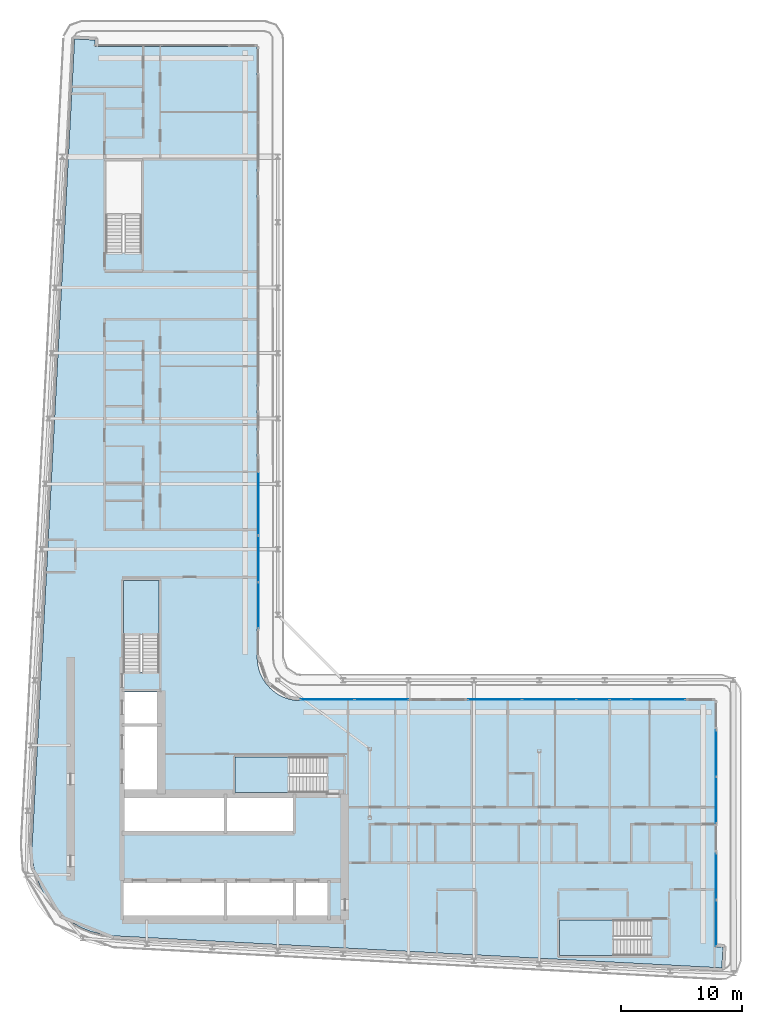
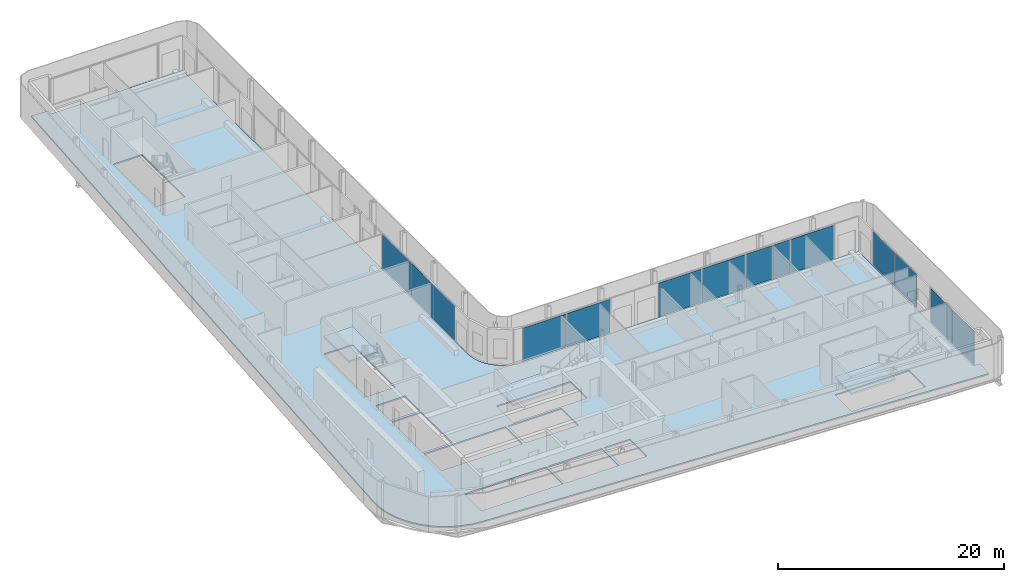
# One storey, part 8 of 22: 14 plates, 4 slabs, 10 elements without a shape of their own.
"""IFC4 building model written with IfcOpenShell, lengths in metres."""

from ifc_helpers import new_model, si_unit, direction, frame, origin, origin_2d, place, context, subcontext, project, spatial, polyline, rectangle, outline, extrude, material, layer, layer_set, type_object, element, aggregate, save


model = new_model("IFC4")

# Units and contexts
model_context = context("Model", 3, precision=1e-05, world=origin(), true_north=direction((0.0, 1.0)))
body_context = subcontext(model_context, "Body", "Model", "MODEL_VIEW")
ifc_project = project(units=[si_unit("LENGTHUNIT", "METRE"), si_unit("AREAUNIT", "SQUARE_METRE"), si_unit("VOLUMEUNIT", "CUBIC_METRE"), si_unit("PLANEANGLEUNIT", "RADIAN"), si_unit("MASSUNIT", "GRAM", prefix="KILO")], contexts=[model_context])

# Site, building, storey
site_placement = place(None, origin())
site = spatial("IfcSite", under=ifc_project, at=site_placement, CompositionType="ELEMENT")
building_placement = place(site_placement, origin())
building = spatial("IfcBuilding", under=site, at=building_placement, Name="Kheshtan School and Residences Tower", CompositionType="ELEMENT")
storey_placement = place(building_placement, frame((0.0, 0.0, 255.199951171875)))
storey = spatial("IfcBuildingStorey", under=building, at=storey_placement, Name="L60", CompositionType="ELEMENT", Elevation=255.199951171875)

# Curtain wall, plate
ifc_material_1 = material(Name="Clear low-e glass in thermally broken aluminium frame", Category="aluminium")
ifc_layer_1 = layer(ifc_material_1, 0.199951171875)
ifc_layer_set_1 = layer_set([ifc_layer_1], Name="Curtain wall CW-L")
curtain_wall_type = type_object("IfcCurtainWallType", Name="Curtain wall CW-L", PredefinedType="NOTDEFINED", material=ifc_layer_set_1)
curtain_wall_1_placement = place(storey_placement, origin())
curtain_wall_1 = element("IfcCurtainWall", 1, at=curtain_wall_1_placement, inside=storey, type_object=curtain_wall_type, Name="Curtain wall CWL8k", PredefinedType="NOTDEFINED")
ifc_layer_2 = layer(ifc_material_1, 0.031982421875)
ifc_layer_set_2 = layer_set([ifc_layer_2], Name="CW-L glass panel")
plate_type = type_object("IfcPlateType", Name="CW-L glass panel", PredefinedType="CURTAIN_PANEL", material=ifc_layer_set_2)
plate_1_placement = place(storey_placement, frame((46.0, 60.177001953125, 0.0), z_axis=(0.0, 0.0, 1.0), x_axis=(0.0, -1.0, 0.0)))
plate_1 = element("IfcPlate", 2, at=plate_1_placement, type_object=plate_type, Name="CWL8k panel 2.1", PredefinedType="CURTAIN_PANEL", context=body_context, shape_type="SweptSolid", body=[
    extrude(rectangle(XDim=5.18603515625, YDim=0.031982421875, at=origin_2d()), origin(), (0.0, 0.0, 1.0), 3.6298828125),
])
aggregate(curtain_wall_1, [plate_1])

# Curtain wall, plates
curtain_wall_2_placement = place(storey_placement, origin())
curtain_wall_2 = element("IfcCurtainWall", 3, at=curtain_wall_2_placement, inside=storey, type_object=curtain_wall_type, Name="Curtain wall CWL8", PredefinedType="NOTDEFINED")
plate_2_placement = place(storey_placement, frame((46.0, 55.615478515625, 0.0), z_axis=(0.0, 0.0, 1.0), x_axis=(0.0, -1.0, 0.0)))
plate_2 = element("IfcPlate", 4, at=plate_2_placement, type_object=plate_type, Name="CWL8 panel 1.1", PredefinedType="CURTAIN_PANEL", context=body_context, shape_type="SweptSolid", body=[
    extrude(rectangle(XDim=3.81689453125, YDim=0.031982421875, at=origin_2d()), origin(), (0.0, 0.0, 1.0), 3.6298828125),
])
plate_3_placement = place(storey_placement, frame((46.0, 51.7685546875, 0.0), z_axis=(0.0, 0.0, 1.0), x_axis=(0.0, -1.0, 0.0)))
plate_3 = element("IfcPlate", 5, at=plate_3_placement, type_object=plate_type, Name="CWL8 panel 2.1", PredefinedType="CURTAIN_PANEL", context=body_context, shape_type="SweptSolid", body=[
    extrude(rectangle(XDim=3.757080078125, YDim=0.031982421875, at=origin_2d()), origin(), (0.0, 0.0, 1.0), 3.6298828125),
])
aggregate(curtain_wall_2, [plate_2, plate_3])

curtain_wall_3_placement = place(storey_placement, origin())
curtain_wall_3 = element("IfcCurtainWall", 6, at=curtain_wall_3_placement, inside=storey, type_object=curtain_wall_type, Name="Curtain wall CWL1231", PredefinedType="NOTDEFINED")
plate_4_placement = place(storey_placement, frame((51.700927734375, 44.0, 0.0), z_axis=(0.0, 0.0, 1.0), x_axis=(1.0, 0.0, 0.0)))
plate_4 = element("IfcPlate", 7, at=plate_4_placement, type_object=plate_type, Name="CWL1231 panel 1.1", PredefinedType="CURTAIN_PANEL", context=body_context, shape_type="SweptSolid", body=[
    extrude(rectangle(XDim=4.421630859375, YDim=0.031982421875, at=origin_2d()), origin(), (0.0, 0.0, 1.0), 3.6298828125),
])
plate_5_placement = place(storey_placement, frame((56.1826171875, 44.0, 0.0), z_axis=(0.0, 0.0, 1.0), x_axis=(1.0, 0.0, 0.0)))
plate_5 = element("IfcPlate", 8, at=plate_5_placement, type_object=plate_type, Name="CWL1231 panel 2.1", PredefinedType="CURTAIN_PANEL", context=body_context, shape_type="SweptSolid", body=[
    extrude(rectangle(XDim=4.421630859375, YDim=0.031982421875, at=origin_2d()), origin(), (0.0, 0.0, 1.0), 3.6298828125),
])
aggregate(curtain_wall_3, [plate_4, plate_5])

curtain_wall_4_placement = place(storey_placement, origin())
curtain_wall_4 = element("IfcCurtainWall", 9, at=curtain_wall_4_placement, inside=storey, type_object=curtain_wall_type, Name="Curtain wall CWL1231", PredefinedType="NOTDEFINED")
plate_6_placement = place(storey_placement, frame((65.524169921875, 44.0, 0.0), z_axis=(0.0, 0.0, 1.0), x_axis=(1.0, 0.0, 0.0)))
plate_6 = element("IfcPlate", 10, at=plate_6_placement, type_object=plate_type, Name="CWL1231 panel 1.1", PredefinedType="CURTAIN_PANEL", context=body_context, shape_type="SweptSolid", body=[
    extrude(rectangle(XDim=4.421630859375, YDim=0.031982421875, at=origin_2d()), origin(), (0.0, 0.0, 1.0), 3.6298828125),
])
plate_7_placement = place(storey_placement, frame((70.005859375, 44.0, 0.0), z_axis=(0.0, 0.0, 1.0), x_axis=(1.0, 0.0, 0.0)))
plate_7 = element("IfcPlate", 11, at=plate_7_placement, type_object=plate_type, Name="CWL1231 panel 2.1", PredefinedType="CURTAIN_PANEL", context=body_context, shape_type="SweptSolid", body=[
    extrude(rectangle(XDim=4.421630859375, YDim=0.031982421875, at=origin_2d()), origin(), (0.0, 0.0, 1.0), 3.6298828125),
])
aggregate(curtain_wall_4, [plate_6, plate_7])

curtain_wall_5_placement = place(storey_placement, origin())
curtain_wall_5 = element("IfcCurtainWall", 12, at=curtain_wall_5_placement, inside=storey, type_object=curtain_wall_type, Name="Curtain wall CWL1228", PredefinedType="NOTDEFINED")
plate_8_placement = place(storey_placement, frame((73.623291015625, 44.0, 0.0), z_axis=(0.0, 0.0, 1.0), x_axis=(1.0, 0.0, 0.0)))
plate_8 = element("IfcPlate", 13, at=plate_8_placement, type_object=plate_type, Name="CWL1228 panel 1.1", PredefinedType="CURTAIN_PANEL", context=body_context, shape_type="SweptSolid", body=[
    extrude(rectangle(XDim=2.693359375, YDim=0.031982421875, at=origin_2d()), origin(), (0.0, 0.0, 1.0), 3.6298828125),
])
plate_9_placement = place(storey_placement, frame((75.89404296875, 44.0, 0.0), z_axis=(0.0, 0.0, 1.0), x_axis=(1.0, 0.0, 0.0)))
plate_9 = element("IfcPlate", 14, at=plate_9_placement, type_object=plate_type, Name="CWL1228 panel 2.1", PredefinedType="CURTAIN_PANEL", context=body_context, shape_type="SweptSolid", body=[
    extrude(rectangle(XDim=1.728271484375, YDim=0.031982421875, at=origin_2d()), origin(), (0.0, 0.0, 1.0), 3.6298828125),
])
plate_10_placement = place(storey_placement, frame((79.029052734375, 44.0, 0.0), z_axis=(0.0, 0.0, 1.0), x_axis=(1.0, 0.0, 0.0)))
plate_10 = element("IfcPlate", 15, at=plate_10_placement, type_object=plate_type, Name="CWL1228 panel 3.1", PredefinedType="CURTAIN_PANEL", context=body_context, shape_type="SweptSolid", body=[
    extrude(rectangle(XDim=4.421630859375, YDim=0.031982421875, at=origin_2d()), origin(), (0.0, 0.0, 1.0), 3.6298828125),
])
aggregate(curtain_wall_5, [plate_8, plate_9, plate_10])

curtain_wall_6_placement = place(storey_placement, origin())
curtain_wall_6 = element("IfcCurtainWall", 16, at=curtain_wall_6_placement, inside=storey, type_object=curtain_wall_type, Name="Curtain wall CWL13c", PredefinedType="NOTDEFINED")
plate_11_placement = place(storey_placement, frame((83.800048828125, 39.54345703125, 0.0), z_axis=(0.0, 0.0, 1.0), x_axis=(0.0, -1.0, 0.0)))
plate_11 = element("IfcPlate", 17, at=plate_11_placement, type_object=plate_type, Name="CWL13c panel 1.1", PredefinedType="CURTAIN_PANEL", context=body_context, shape_type="SweptSolid", body=[
    extrude(rectangle(XDim=3.793212890625, YDim=0.031982421875, at=origin_2d()), origin(), (0.0, 0.0, 1.0), 3.6298828125),
])
plate_12_placement = place(storey_placement, frame((83.800048828125, 35.690185546875, 0.0), z_axis=(0.0, 0.0, 1.0), x_axis=(0.0, -1.0, 0.0)))
plate_12 = element("IfcPlate", 18, at=plate_12_placement, type_object=plate_type, Name="CWL13c panel 2.1", PredefinedType="CURTAIN_PANEL", context=body_context, shape_type="SweptSolid", body=[
    extrude(rectangle(XDim=3.793212890625, YDim=0.031982421875, at=origin_2d()), origin(), (0.0, 0.0, 1.0), 3.6298828125),
])
aggregate(curtain_wall_6, [plate_11, plate_12])

curtain_wall_7_placement = place(storey_placement, origin())
curtain_wall_7 = element("IfcCurtainWall", 19, at=curtain_wall_7_placement, inside=storey, type_object=curtain_wall_type, Name="Curtain wall CWL13c", PredefinedType="NOTDEFINED")
plate_13_placement = place(storey_placement, frame((83.800048828125, 29.376953125, 0.0), z_axis=(0.0, 0.0, 1.0), x_axis=(0.0, -1.0, 0.0)))
plate_13 = element("IfcPlate", 20, at=plate_13_placement, type_object=plate_type, Name="CWL13c panel 1.1", PredefinedType="CURTAIN_PANEL", context=body_context, shape_type="SweptSolid", body=[
    extrude(rectangle(XDim=3.793212890625, YDim=0.031982421875, at=origin_2d()), origin(), (0.0, 0.0, 1.0), 3.6298828125),
])
plate_14_placement = place(storey_placement, frame((83.800048828125, 25.523681640625, 0.0), z_axis=(0.0, 0.0, 1.0), x_axis=(0.0, -1.0, 0.0)))
plate_14 = element("IfcPlate", 21, at=plate_14_placement, type_object=plate_type, Name="CWL13c panel 2.1", PredefinedType="CURTAIN_PANEL", context=body_context, shape_type="SweptSolid", body=[
    extrude(rectangle(XDim=3.793212890625, YDim=0.031982421875, at=origin_2d()), origin(), (0.0, 0.0, 1.0), 3.6298828125),
])
aggregate(curtain_wall_7, [plate_13, plate_14])

# Slab
ifc_material_2 = material(Name="Concrete C40/50", Category="concrete")
ifc_layer_3 = layer(ifc_material_2, 0.14990234375)
ifc_layer_set_3 = layer_set([ifc_layer_3], Name="Floor slab 150 Concrete C40/50")
slab_type_1 = type_object("IfcSlabType", Name="Floor slab 150 Concrete C40/50", PredefinedType="FLOOR", material=ifc_layer_set_3)
slab_1_placement = place(storey_placement, frame((0.0, 0.0, -0.14990234375)))
element("IfcSlab", 22, at=slab_1_placement, inside=storey, type_object=slab_type_1, Name="Floor slab L60", PredefinedType="FLOOR", context=body_context, shape_type="SweptSolid", body=[
    extrude(outline(polyline([(28.0849609375, 28.345947265625), (27.718017578125, 29.200927734375), (27.466064453125, 30.093017578125), (27.466064453125, 30.093994140625), (27.3330078125, 31.013916015625), (27.320068359375, 31.965087890625), (27.320068359375, 31.970947265625), (30.822021484375, 98.5009765625), (30.822998046875, 98.508056640625), (30.825927734375, 98.531005859375), (30.825927734375, 98.531982421875), (30.826904296875, 98.531982421875), (31.422119140625, 98.5), (31.423095703125, 98.5), (31.423095703125, 98.4990234375), (31.423095703125, 98.4951171875), (31.423095703125, 98.493896484375), (31.424072265625, 98.493896484375), (31.424072265625, 98.492919921875), (31.425048828125, 98.492919921875), (31.426025390625, 98.492919921875), (31.426025390625, 98.493896484375), (31.427978515625, 98.49609375), (31.428955078125, 98.4970703125), (31.429931640625, 98.498046875), (31.430908203125, 98.498046875), (31.430908203125, 98.4990234375), (31.431884765625, 98.4990234375), (31.431884765625, 98.5), (31.43505859375, 98.5009765625), (31.43603515625, 98.501953125), (31.43896484375, 98.501953125), (31.43994140625, 98.501953125), (31.43994140625, 98.5029296875), (31.44091796875, 98.5029296875), (31.446044921875, 98.5029296875), (32.5009765625, 98.447021484375), (32.50390625, 98.447021484375), (32.5048828125, 98.447021484375), (32.5048828125, 98.446044921875), (32.506103515625, 98.446044921875), (32.510009765625, 98.446044921875), (32.510009765625, 98.445068359375), (32.510986328125, 98.445068359375), (32.510986328125, 98.444091796875), (32.511962890625, 98.444091796875), (32.511962890625, 98.443115234375), (32.512939453125, 98.443115234375), (32.513916015625, 98.443115234375), (32.513916015625, 98.44189453125), (32.514892578125, 98.44189453125), (32.51611328125, 98.44189453125), (32.51904296875, 98.43896484375), (32.51904296875, 98.43798828125), (32.51904296875, 98.43701171875), (32.52001953125, 98.43701171875), (32.52001953125, 98.43603515625), (32.52099609375, 98.43603515625), (32.52099609375, 98.43408203125), (32.52099609375, 98.43310546875), (32.52197265625, 98.43310546875), (32.52197265625, 98.431884765625), (32.52294921875, 98.431884765625), (32.52294921875, 98.430908203125), (32.52294921875, 98.428955078125), (32.52294921875, 98.427978515625), (32.52392578125, 98.427978515625), (32.52392578125, 98.427001953125), (32.52392578125, 98.422119140625), (32.4970703125, 97.9208984375), (32.4970703125, 97.91796875), (32.4970703125, 97.9169921875), (32.49609375, 97.9169921875), (32.49609375, 97.916015625), (32.49609375, 97.912109375), (32.4951171875, 97.910888671875), (32.4951171875, 97.909912109375), (32.493896484375, 97.909912109375), (32.493896484375, 97.908935546875), (32.492919921875, 97.908935546875), (32.492919921875, 97.907958984375), (32.489013671875, 97.904052734375), (32.488037109375, 97.904052734375), (32.488037109375, 97.903076171875), (32.488037109375, 97.902099609375), (32.488037109375, 97.90087890625), (32.489013671875, 97.90087890625), (32.489013671875, 97.89990234375), (32.489990234375, 97.89990234375), (45.85498046875, 97.89990234375), (45.864990234375, 97.89794921875), (45.865966796875, 97.89794921875), (45.868896484375, 97.89599609375), (45.8740234375, 97.89404296875), (45.8779296875, 97.89208984375), (45.881103515625, 97.889892578125), (45.881103515625, 97.888916015625), (45.882080078125, 97.888916015625), (45.882080078125, 97.887939453125), (45.883056640625, 97.887939453125), (45.884033203125, 97.885009765625), (45.885009765625, 97.885009765625), (45.885009765625, 97.884033203125), (45.887939453125, 97.883056640625), (45.887939453125, 97.882080078125), (45.888916015625, 97.882080078125), (45.888916015625, 97.881103515625), (45.889892578125, 97.881103515625), (45.89208984375, 97.8779296875), (45.89404296875, 97.8740234375), (45.89599609375, 97.868896484375), (45.89794921875, 97.865966796875), (45.89794921875, 97.864990234375), (45.89990234375, 97.85498046875), (45.89990234375, 47.429931640625), (45.927001953125, 47.030029296875), (46.01806640625, 46.570068359375), (46.01806640625, 46.569091796875), (46.169921875, 46.1201171875), (46.37890625, 45.697021484375), (46.638916015625, 45.30810546875), (46.949951171875, 44.950927734375), (46.950927734375, 44.949951171875), (47.30810546875, 44.638916015625), (47.697021484375, 44.37890625), (48.1201171875, 44.169921875), (48.569091796875, 44.01806640625), (48.570068359375, 44.01806640625), (49.030029296875, 43.927001953125), (49.429931640625, 43.89990234375), (83.655029296875, 43.89990234375), (83.659912109375, 43.89892578125), (83.6650390625, 43.89794921875), (83.666015625, 43.89794921875), (83.6689453125, 43.89599609375), (83.674072265625, 43.89404296875), (83.677978515625, 43.89208984375), (83.680908203125, 43.889892578125), (83.680908203125, 43.888916015625), (83.681884765625, 43.888916015625), (83.681884765625, 43.887939453125), (83.68310546875, 43.887939453125), (83.68408203125, 43.885009765625), (83.68505859375, 43.885009765625), (83.68505859375, 43.884033203125), (83.68798828125, 43.883056640625), (83.68798828125, 43.882080078125), (83.68896484375, 43.882080078125), (83.68896484375, 43.881103515625), (83.68994140625, 43.881103515625), (83.69189453125, 43.8779296875), (83.694091796875, 43.8740234375), (83.696044921875, 43.868896484375), (83.697998046875, 43.865966796875), (83.697998046875, 43.864990234375), (83.699951171875, 43.85498046875), (83.699951171875, 23.56201171875), (83.699951171875, 23.56103515625), (83.700927734375, 23.56103515625), (83.700927734375, 23.56005859375), (83.701904296875, 23.56005859375), (83.702880859375, 23.56005859375), (83.702880859375, 23.56103515625), (83.705078125, 23.56298828125), (83.7060546875, 23.56396484375), (83.70703125, 23.56494140625), (83.7080078125, 23.56494140625), (83.7080078125, 23.56591796875), (83.708984375, 23.56591796875), (83.708984375, 23.56689453125), (83.7099609375, 23.56689453125), (83.712890625, 23.569091796875), (83.716064453125, 23.569091796875), (83.717041015625, 23.569091796875), (83.717041015625, 23.570068359375), (83.718017578125, 23.570068359375), (83.722900390625, 23.570068359375), (84.337890625, 23.537109375), (84.341064453125, 23.537109375), (84.342041015625, 23.537109375), (84.342041015625, 23.535888671875), (84.343017578125, 23.535888671875), (84.346923828125, 23.535888671875), (84.346923828125, 23.534912109375), (84.347900390625, 23.534912109375), (84.347900390625, 23.533935546875), (84.34912109375, 23.533935546875), (84.34912109375, 23.532958984375), (84.35009765625, 23.532958984375), (84.35107421875, 23.532958984375), (84.35107421875, 23.531982421875), (84.35205078125, 23.531982421875), (84.35302734375, 23.531982421875), (84.35302734375, 23.531005859375), (84.35498046875, 23.529052734375), (84.35595703125, 23.529052734375), (84.35595703125, 23.528076171875), (84.35595703125, 23.527099609375), (84.35693359375, 23.527099609375), (84.35693359375, 23.52587890625), (84.35791015625, 23.52587890625), (84.35791015625, 23.52490234375), (84.35791015625, 23.52392578125), (84.35791015625, 23.52294921875), (84.35888671875, 23.52294921875), (84.35888671875, 23.52197265625), (84.360107421875, 23.52197265625), (84.360107421875, 23.52099609375), (84.360107421875, 23.51904296875), (84.360107421875, 23.51806640625), (84.361083984375, 23.51806640625), (84.361083984375, 23.51708984375), (84.361083984375, 23.511962890625), (84.304931640625, 22.455078125), (84.304931640625, 22.451904296875), (84.304931640625, 22.450927734375), (84.303955078125, 22.450927734375), (84.303955078125, 22.449951171875), (84.303955078125, 22.446044921875), (84.302978515625, 22.445068359375), (84.302978515625, 22.444091796875), (84.302001953125, 22.444091796875), (84.302001953125, 22.443115234375), (84.301025390625, 22.443115234375), (84.301025390625, 22.44189453125), (84.300048828125, 22.44091796875), (84.298095703125, 22.43896484375), (84.297119140625, 22.43798828125), (84.2958984375, 22.43798828125), (84.2958984375, 22.43701171875), (84.2958984375, 22.43603515625), (84.2958984375, 22.43505859375), (84.297119140625, 22.43505859375), (84.297119140625, 22.43408203125), (84.298095703125, 22.43408203125), (84.299072265625, 22.43408203125), (84.300048828125, 22.43408203125), (84.300048828125, 22.43310546875), (84.26806640625, 21.837890625), (84.26806640625, 21.8369140625), (84.26708984375, 21.8369140625), (84.242919921875, 21.8359375), (84.238037109375, 21.8359375), (34.056884765625, 24.47802734375), (33.114990234375, 24.590087890625), (32.215087890625, 24.819091796875), (32.214111328125, 24.819091796875), (31.35205078125, 25.1630859375), (30.541015625, 25.616943359375), (29.799072265625, 26.1708984375), (29.799072265625, 26.172119140625), (29.798095703125, 26.172119140625), (29.134033203125, 26.820068359375), (29.134033203125, 26.821044921875), (29.133056640625, 26.821044921875), (28.55908203125, 27.550048828125), (28.0849609375, 28.345947265625)]), holes=[polyline([(83.699951171875, 22.44091796875), (83.699951171875, 22.43994140625), (83.699951171875, 22.43603515625), (83.699951171875, 22.43505859375), (83.700927734375, 22.43505859375), (83.700927734375, 22.43408203125), (83.701904296875, 22.43408203125), (83.7060546875, 22.43408203125), (83.70703125, 22.43408203125), (83.70703125, 22.43505859375), (83.7080078125, 22.43505859375), (83.7080078125, 22.43603515625), (83.7080078125, 22.43701171875), (83.70703125, 22.43701171875), (83.7060546875, 22.43798828125), (83.7041015625, 22.43994140625), (83.702880859375, 22.44091796875), (83.702880859375, 22.44189453125), (83.701904296875, 22.44189453125), (83.700927734375, 22.44189453125), (83.700927734375, 22.44091796875), (83.699951171875, 22.44091796875)]), polyline([(31.423095703125, 97.906982421875), (31.423095703125, 97.906005859375), (31.423095703125, 97.902099609375), (31.423095703125, 97.90087890625), (31.424072265625, 97.90087890625), (31.424072265625, 97.89990234375), (31.425048828125, 97.89990234375), (31.428955078125, 97.89990234375), (31.429931640625, 97.89990234375), (31.429931640625, 97.90087890625), (31.430908203125, 97.90087890625), (31.430908203125, 97.902099609375), (31.430908203125, 97.903076171875), (31.429931640625, 97.903076171875), (31.428955078125, 97.904052734375), (31.427978515625, 97.905029296875), (31.427001953125, 97.906005859375), (31.426025390625, 97.906982421875), (31.426025390625, 97.907958984375), (31.425048828125, 97.907958984375), (31.424072265625, 97.907958984375), (31.424072265625, 97.906982421875), (31.423095703125, 97.906982421875)]), polyline([(43.175048828125, 28.925048828125), (34.875, 28.925048828125), (34.875, 25.925048828125), (43.175048828125, 25.925048828125), (43.175048828125, 28.925048828125)]), polyline([(43.175048828125, 36.074951171875), (34.875, 36.074951171875), (34.875, 33.074951171875), (43.175048828125, 33.074951171875), (43.175048828125, 36.074951171875)]), polyline([(34.875, 41.77490234375), (34.875, 36.324951171875), (37.875, 36.324951171875), (37.875, 41.77490234375), (34.875, 41.77490234375)]), polyline([(37.875, 44.625), (34.875, 44.625), (34.875, 42.02490234375), (37.875, 42.02490234375), (37.875, 44.625)]), polyline([(36.25, 46.25), (37.800048828125, 46.25), (37.800048828125, 53.81005859375), (34.85009765625, 53.81005859375), (34.85009765625, 46.260009765625), (36.25, 46.260009765625), (36.25, 46.25)]), polyline([(33.39990234375, 88.4599609375), (33.39990234375, 80.909912109375), (34.800048828125, 80.909912109375), (34.800048828125, 80.89990234375), (36.35009765625, 80.89990234375), (36.35009765625, 88.4599609375), (33.39990234375, 88.4599609375)]), polyline([(70.85009765625, 25.800048828125), (70.85009765625, 22.85009765625), (78.39990234375, 22.85009765625), (78.39990234375, 24.25), (78.409912109375, 24.25), (78.409912109375, 25.800048828125), (70.85009765625, 25.800048828125)]), polyline([(43.425048828125, 28.925048828125), (43.425048828125, 25.925048828125), (48.875, 25.925048828125), (48.875, 28.925048828125), (43.425048828125, 28.925048828125)]), polyline([(49.125, 28.925048828125), (49.125, 25.925048828125), (51.72509765625, 25.925048828125), (51.72509765625, 28.925048828125), (49.125, 28.925048828125)]), polyline([(43.425048828125, 36.074951171875), (43.425048828125, 33.074951171875), (48.875, 33.074951171875), (48.875, 36.074951171875), (43.425048828125, 36.074951171875)]), polyline([(51.64990234375, 37.699951171875), (51.64990234375, 39.25), (44.090087890625, 39.25), (44.090087890625, 36.300048828125), (51.639892578125, 36.300048828125), (51.639892578125, 37.699951171875), (51.64990234375, 37.699951171875)])]), origin(), (0.0, 0.0, 1.0), 0.14990234375),
])

# Stair, slab
stair_type = type_object("IfcStairType", Name="Exit stair, half-turn", PredefinedType="HALF_TURN_STAIR", material=ifc_material_2)
stair_1_placement = place(storey_placement, origin())
stair_1 = element("IfcStair", 23, at=stair_1_placement, inside=storey, type_object=stair_type, Name="L60 Protected Exit Stair ST1", PredefinedType="HALF_TURN_STAIR")
ifc_layer_4 = layer(ifc_material_2, 0.199951171875)
ifc_layer_set_4 = layer_set([ifc_layer_4], Name="Stair landing 200 Concrete C40/50")
slab_type_2 = type_object("IfcSlabType", Name="Stair landing 200 Concrete C40/50", PredefinedType="LANDING", material=ifc_layer_set_4)
slab_2_placement = place(storey_placement, frame((0.0, 0.0, 1.75)))
slab_2 = element("IfcSlab", 24, at=slab_2_placement, type_object=slab_type_2, Name="ST1 landing 1", PredefinedType="LANDING", context=body_context, shape_type="SweptSolid", body=[
    extrude(outline(polyline([(48.570068359375, 39.25), (44.090087890625, 39.25), (44.090087890625, 36.300048828125), (48.570068359375, 36.300048828125), (48.570068359375, 39.25)])), origin(), (0.0, 0.0, 1.0), 0.199951171875),
])
aggregate(stair_1, [slab_2])

stair_2_placement = place(storey_placement, origin())
stair_2 = element("IfcStair", 25, at=stair_2_placement, inside=storey, type_object=stair_type, Name="L60 Protected Exit Stair ST2", PredefinedType="HALF_TURN_STAIR")
slab_3_placement = place(storey_placement, frame((0.0, 0.0, 1.75)))
slab_3 = element("IfcSlab", 26, at=slab_3_placement, type_object=slab_type_2, Name="ST2 landing 1", PredefinedType="LANDING", context=body_context, shape_type="SweptSolid", body=[
    extrude(outline(polyline([(37.800048828125, 49.330078125), (37.800048828125, 53.81005859375), (34.85009765625, 53.81005859375), (34.85009765625, 49.330078125), (37.800048828125, 49.330078125)])), origin(), (0.0, 0.0, 1.0), 0.199951171875),
])
aggregate(stair_2, [slab_3])

stair_3_placement = place(storey_placement, origin())
stair_3 = element("IfcStair", 27, at=stair_3_placement, inside=storey, type_object=stair_type, Name="L60 Protected Exit Stair ST5", PredefinedType="HALF_TURN_STAIR")
slab_4_placement = place(storey_placement, frame((0.0, 0.0, 1.75)))
slab_4 = element("IfcSlab", 28, at=slab_4_placement, type_object=slab_type_2, Name="ST5 landing 1", PredefinedType="LANDING", context=body_context, shape_type="SweptSolid", body=[
    extrude(outline(polyline([(75.330078125, 25.800048828125), (70.85009765625, 25.800048828125), (70.85009765625, 22.85009765625), (75.330078125, 22.85009765625), (75.330078125, 25.800048828125)])), origin(), (0.0, 0.0, 1.0), 0.199951171875),
])
aggregate(stair_3, [slab_4])

save(model, "model.ifc")
